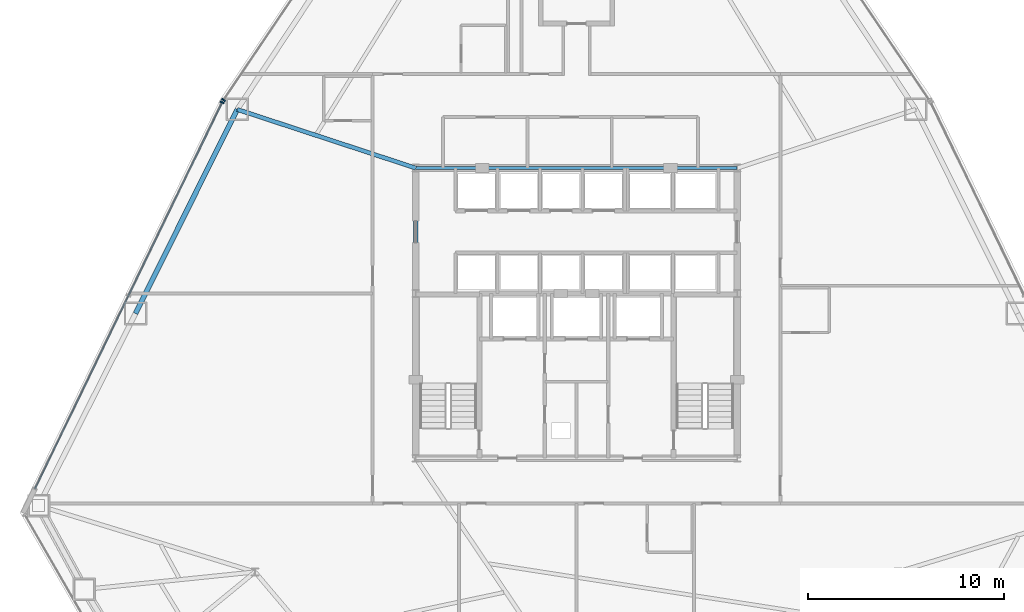
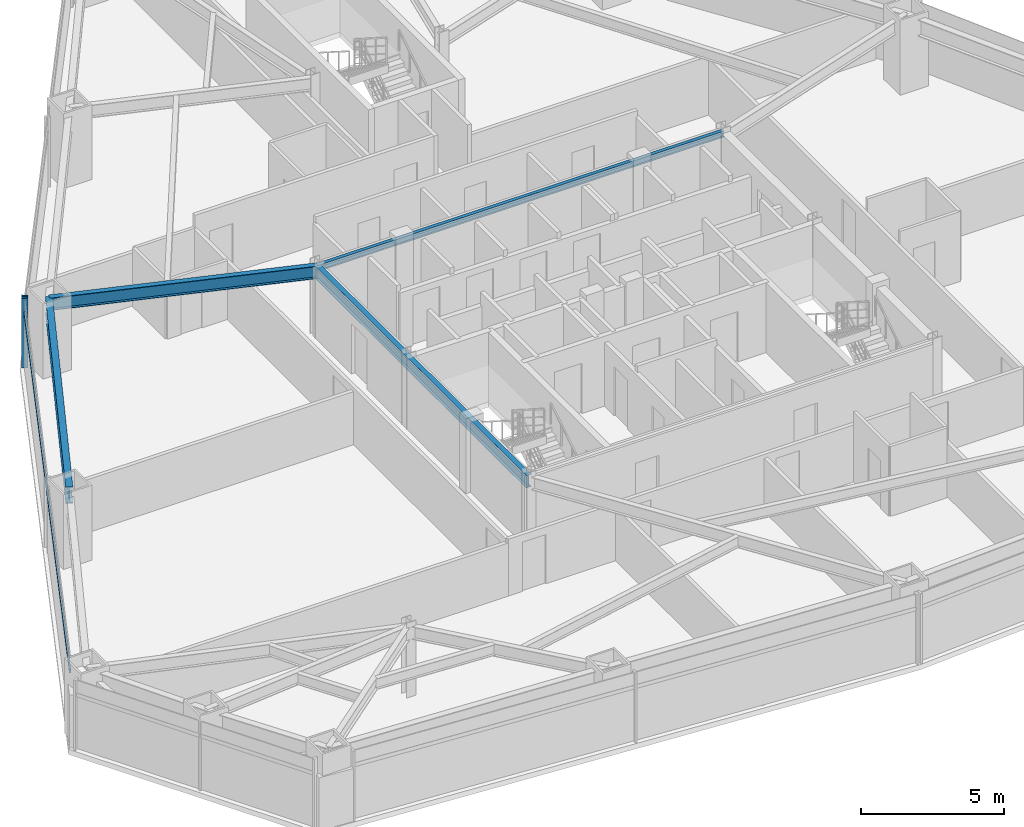
# One storey, part 5 of 12: 4 beams, 3 members, 2 elements without a shape of their own.
"""IFC4 building model written with IfcOpenShell, lengths in metres."""

from ifc_helpers import new_model, si_unit, direction, frame, origin, origin_2d, place, context, subcontext, project, spatial, rectangle, i_section, extrude, source, transform, mapped, material, layer, layer_set, material_profile, profile_set, type_object, type_shapes, element, aggregate, save


model = new_model("IFC4")

# Units and contexts
model_context = context("Model", 3, precision=1e-05, world=origin(), true_north=direction((0.0, 1.0)))
body_context = subcontext(model_context, "Body", "Model", "MODEL_VIEW")
ifc_project = project(units=[si_unit("LENGTHUNIT", "METRE"), si_unit("AREAUNIT", "SQUARE_METRE"), si_unit("VOLUMEUNIT", "CUBIC_METRE"), si_unit("PLANEANGLEUNIT", "RADIAN"), si_unit("MASSUNIT", "GRAM", prefix="KILO")], contexts=[model_context])

# Site, building, storey
site_placement = place(None, origin())
site = spatial("IfcSite", under=ifc_project, at=site_placement, CompositionType="ELEMENT")
building_placement = place(site_placement, origin())
building = spatial("IfcBuilding", under=site, at=building_placement, Name="Varakhsha Concourse Tower", CompositionType="ELEMENT")
storey_placement = place(building_placement, frame((0.0, 0.0, 56.0)))
storey = spatial("IfcBuildingStorey", under=building, at=storey_placement, Name="L15", CompositionType="ELEMENT", Elevation=56.0)

# Beams
ifc_material_1 = material(Name="Structural Steel ASTM A992 Grade 50", Category="steel")
ifc_material_profile_1 = material_profile(ifc_material_1, i_section(OverallWidth=0.14697265625, OverallDepth=0.261962890625, WebThickness=0.007080078125, FlangeThickness=0.010986328125, at=origin_2d()), Name="W10X26")
ifc_profile_set_1 = profile_set([ifc_material_profile_1], Name="Structural Steel ASTM A992 Grade 50")
beam_type_1 = type_object("IfcBeamType", Name="BM-LNTL-W10X26", PredefinedType="LINTEL", material=ifc_profile_set_1)
beam_1_placement = place(storey_placement, frame((31.800048828125, 31.199951171875, 2.84912109375), z_axis=(1.0, 0.0, 0.0), x_axis=(0.0, 1.0, 0.0)))
element("IfcBeam", 1, at=beam_1_placement, inside=storey, type_object=beam_type_1, Name="BM-TCORE-L15-CN", PredefinedType="LINTEL", context=body_context, shape_type="SweptSolid", body=[
    extrude(i_section(OverallWidth=0.14697265625, OverallDepth=0.261962890625, WebThickness=0.007080078125, FlangeThickness=0.010986328125, at=origin_2d()), origin(), (0.0, 0.0, 1.0), 16.39990234375),
])
ifc_material_profile_2 = material_profile(ifc_material_1, i_section(OverallWidth=0.2109375, OverallDepth=0.5390625, WebThickness=0.011962890625, FlangeThickness=0.01904296875, at=origin_2d()), Name="W21X73")
ifc_profile_set_2 = profile_set([ifc_material_profile_2], Name="Structural Steel ASTM A992 Grade 50")
beam_type_2 = type_object("IfcBeamType", Name="BM-RAD-W21X73", PredefinedType="BEAM", material=ifc_profile_set_2)
beam_2_placement = place(storey_placement, frame((31.800048828125, 16.39990234375, 2.71044921875), z_axis=(0.0, 1.0, 0.0), x_axis=(-1.0, 0.0, 0.0)))
element("IfcBeam", 2, at=beam_2_placement, inside=storey, type_object=beam_type_2, Name="BM-TCORE-L15-CW", PredefinedType="BEAM", context=body_context, shape_type="SweptSolid", body=[
    extrude(i_section(OverallWidth=0.2109375, OverallDepth=0.5390625, WebThickness=0.011962890625, FlangeThickness=0.01904296875, at=origin_2d()), origin(), (0.0, 0.0, 1.0), 14.800048828125),
])
beam_3_placement = place(storey_placement, frame((31.800048828125, 31.199951171875, 2.71044921875), z_axis=(-0.950042324333, 0.31212110146, 0.0), x_axis=(-0.31212110146, -0.950042324333, 0.0)))
element("IfcBeam", 3, at=beam_3_placement, inside=storey, type_object=beam_type_2, Name="L15 Radial Floor Girder 05", PredefinedType="BEAM", context=body_context, shape_type="SweptSolid", body=[
    extrude(i_section(OverallWidth=0.2109375, OverallDepth=0.5390625, WebThickness=0.011962890625, FlangeThickness=0.01904296875, at=origin_2d()), origin(), (0.0, 0.0, 1.0), 9.584228515625),
])
ifc_material_profile_3 = material_profile(ifc_material_1, i_section(OverallWidth=0.25390625, OverallDepth=0.701904296875, WebThickness=0.014892578125, FlangeThickness=0.028076171875, at=origin_2d()), Name="W27X129")
ifc_profile_set_3 = profile_set([ifc_material_profile_3], Name="Structural Steel ASTM A992 Grade 50")
beam_type_3 = type_object("IfcBeamType", Name="BM-SPAN-W27X129", PredefinedType="SPANDREL", material=ifc_profile_set_3)
beam_4_placement = place(storey_placement, frame((22.694580078125, 34.19140625, 2.62890625), z_axis=(-0.445953574097, -0.895056093075, 0.0), x_axis=(0.895056093075, -0.445953574097, 0.0)))
element("IfcBeam", 4, at=beam_4_placement, inside=storey, type_object=beam_type_3, Name="BM-SPAN-L15-05", PredefinedType="SPANDREL", context=body_context, shape_type="SweptSolid", body=[
    extrude(i_section(OverallWidth=0.25390625, OverallDepth=0.701904296875, WebThickness=0.014892578125, FlangeThickness=0.028076171875, at=origin_2d()), origin(), (0.0, 0.0, 1.0), 11.629638671875),
])

# Curtain wall, member
ifc_material_2 = material(Name="Anodised Bronze Architectural Aluminium AA 6063-T6", Category="aluminium")
ifc_layer = layer(ifc_material_2, 0.219970703125, Name="CW-SYS-02")
ifc_layer_set = layer_set([ifc_layer], Name="Anodised Bronze Architectural Aluminium AA 6063-T6")
curtain_wall_type = type_object("IfcCurtainWallType", Name="CW-SYS-02", PredefinedType="NOTDEFINED", material=ifc_layer_set)
curtain_wall_1_placement = place(storey_placement, origin())
curtain_wall_1 = element("IfcCurtainWall", 5, at=curtain_wall_1_placement, inside=storey, type_object=curtain_wall_type, Name="L15 Crystal Curtain Wall F2", PredefinedType="NOTDEFINED")
ifc_material_profile_4 = material_profile(ifc_material_2, rectangle(XDim=0.074951171875, YDim=0.219970703125, at=origin_2d()), Name="CWM-220X75")
ifc_profile_set_4 = profile_set([ifc_material_profile_4], Name="Anodised Bronze Architectural Aluminium AA 6063-T6")
member_type_1 = type_object("IfcMemberType", Name="CWM-220X75", PredefinedType="MULLION", material=ifc_profile_set_4)
shared_shape_1 = source(origin(), body_context, "Body", "SweptSolid", [
    extrude(rectangle(XDim=0.074951171875, YDim=0.219970703125, at=origin_2d()), origin(), (0.0, 0.0, 1.0), 2.97998046875),
])
type_shapes(member_type_1, [shared_shape_1])
member_1_placement = place(storey_placement, frame((21.99560546875, 34.673583984375, 0.0), z_axis=(0.0, 0.0, 1.0), x_axis=(0.561391731634, 0.827550194038, 0.0)))
member_1 = element("IfcMember", 6, at=member_1_placement, type_object=member_type_1, Name="CW-L15-F2 Mullion 00", PredefinedType="MULLION", context=body_context, shape_type="MappedRepresentation", body=[
    mapped(shared_shape_1, transform((0.0, 0.0, 0.0), scale=1.0)),
])
aggregate(curtain_wall_1, [member_1])

# Curtain wall, members
curtain_wall_2_placement = place(storey_placement, origin())
curtain_wall_2 = element("IfcCurtainWall", 7, at=curtain_wall_2_placement, inside=storey, type_object=curtain_wall_type, Name="L15 Crystal Curtain Wall F3", PredefinedType="NOTDEFINED")
member_2_placement = place(storey_placement, frame((21.92724609375, 34.555419921875, 0.0), z_axis=(0.0, 0.0, 1.0), x_axis=(0.435982054409, 0.899955359022, 0.0)))
member_2 = element("IfcMember", 8, at=member_2_placement, type_object=member_type_1, Name="CW-L15-F3 Mullion 02", PredefinedType="MULLION", context=body_context, shape_type="MappedRepresentation", body=[
    mapped(shared_shape_1, transform((0.0, 0.0, 0.0), scale=1.0)),
])
ifc_material_profile_5 = material_profile(ifc_material_2, rectangle(XDim=0.06494140625, YDim=0.159912109375, at=origin_2d()), Name="CWT-160X65")
ifc_profile_set_5 = profile_set([ifc_material_profile_5], Name="Anodised Bronze Architectural Aluminium AA 6063-T6")
member_type_2 = type_object("IfcMemberType", Name="CWT-160X65", PredefinedType="USERDEFINED", material=ifc_profile_set_5)
shared_shape_2 = source(origin(), body_context, "Body", "SweptSolid", [
    extrude(rectangle(XDim=0.06494140625, YDim=0.159912109375, at=origin_2d()), origin(), (0.0, 0.0, 1.0), 21.904296875),
])
type_shapes(member_type_2, [shared_shape_2])
member_3_placement = place(storey_placement, frame((12.37744140625, 14.842529296875, 2.330078125), z_axis=(0.435979233991, 0.899956725364, 0.0), x_axis=(-0.899956725364, 0.435979233991, 0.0)))
member_3 = element("IfcMember", 9, at=member_3_placement, type_object=member_type_2, Name="CW-L15-F3 Transom 01", ObjectType="TRANSOM", PredefinedType="USERDEFINED", context=body_context, shape_type="MappedRepresentation", body=[
    mapped(shared_shape_2, transform((0.0, 0.0, 0.0), scale=1.0)),
])
aggregate(curtain_wall_2, [member_2, member_3])

save(model, "model.ifc")
